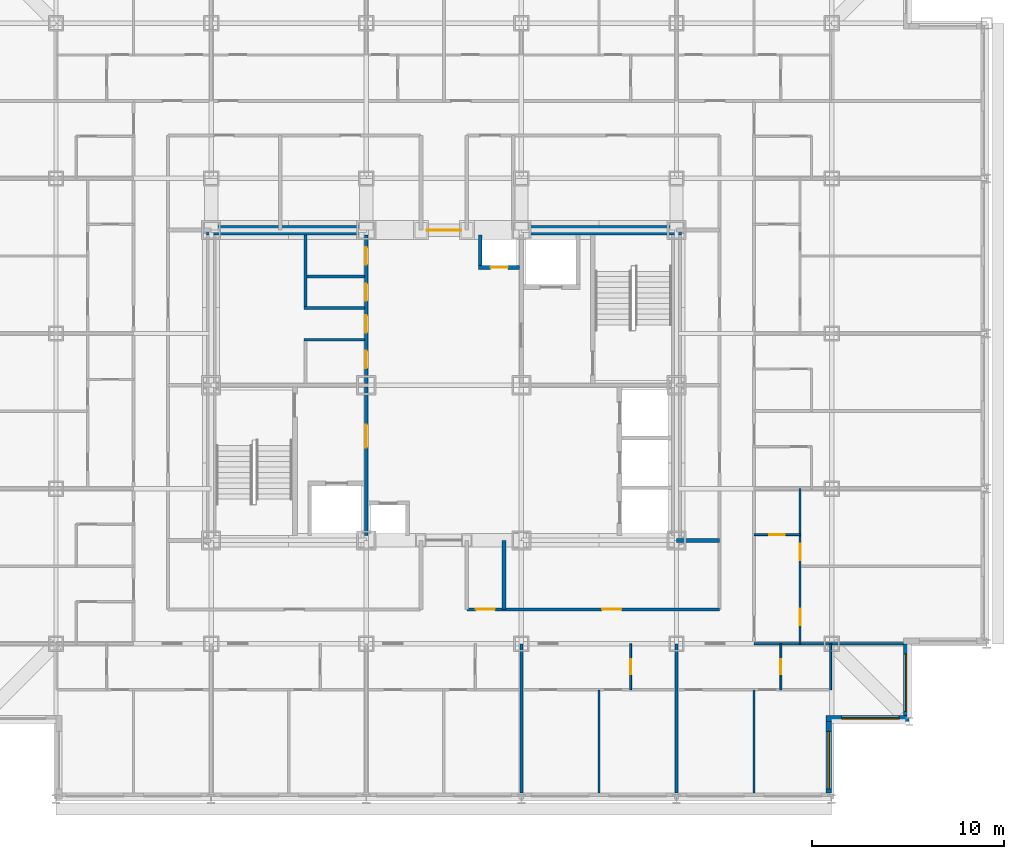
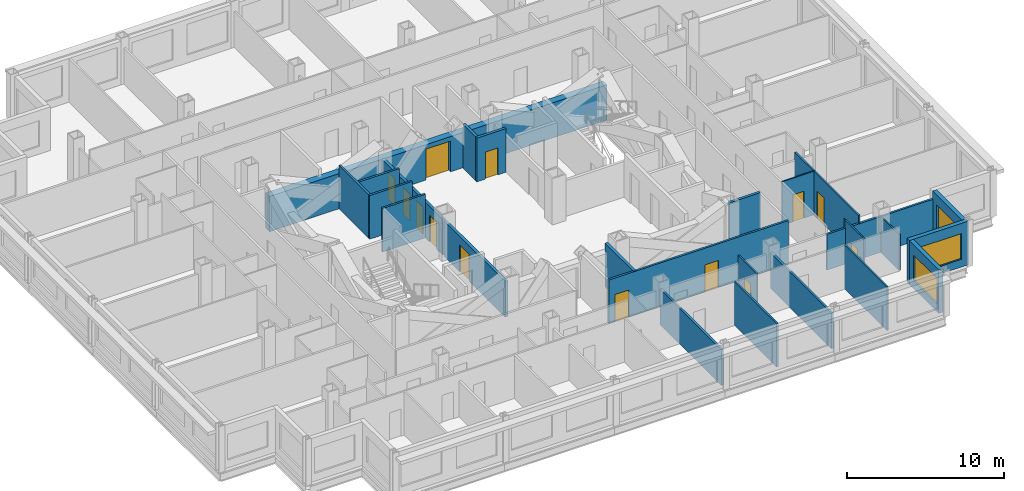
# One storey, part 7 of 12: 25 walls, 14 doors, 3 windows, 17 openings.
"""IFC4 building model written with IfcOpenShell, lengths in metres."""

from ifc_helpers import new_model, si_unit, direction, frame, frame_2d, origin, place, context, subcontext, project, spatial, rectangle, extrude, material, layer, layer_set, type_object, element, fill, save


model = new_model("IFC4")

# Units and contexts
model_context = context("Model", 3, precision=1e-05, world=origin(), true_north=direction((0.0, 1.0)))
body_context = subcontext(model_context, "Body", "Model", "MODEL_VIEW")
ifc_project = project(units=[si_unit("LENGTHUNIT", "METRE"), si_unit("AREAUNIT", "SQUARE_METRE"), si_unit("VOLUMEUNIT", "CUBIC_METRE"), si_unit("PLANEANGLEUNIT", "RADIAN"), si_unit("MASSUNIT", "GRAM", prefix="KILO")], contexts=[model_context])

# Site, building, storey
site_placement = place(None, origin())
site = spatial("IfcSite", under=ifc_project, at=site_placement, CompositionType="ELEMENT")
building_placement = place(site_placement, origin())
building = spatial("IfcBuilding", under=site, at=building_placement, Name="Kopane Lantern Tower", CompositionType="ELEMENT")
storey_placement = place(building_placement, frame((0.0, 0.0, 188.39990234375)))
storey = spatial("IfcBuildingStorey", under=building, at=storey_placement, Name="L48", CompositionType="ELEMENT", Elevation=188.39990234375)

# Wall
ifc_material_1 = material(Name="Gypsum board on steel studs", Category="steel")
ifc_layer_1 = layer(ifc_material_1, 0.1201171875)
ifc_layer_set_1 = layer_set([ifc_layer_1], Name="APARTMENT INTERNAL WALL 120")
wall_type_1 = type_object("IfcWallType", Name="APARTMENT INTERNAL WALL 120", PredefinedType="PARTITIONING", material=ifc_layer_set_1)
wall_1_placement = place(storey_placement, frame((36.449951171875, 16.5, 0.0), z_axis=(0.0, 0.0, 1.0), x_axis=(0.0, -1.0, 0.0)))
element("IfcWall", 1, at=wall_1_placement, inside=storey, type_object=wall_type_1, Name="Apartment Internal Wall 120 L48", PredefinedType="PARTITIONING", context=body_context, shape_type="SweptSolid", body=[
    extrude(rectangle(XDim=5.39990234375, YDim=0.1201171875, at=frame_2d((2.699951171875, 0.0))), origin(), (0.0, 0.0, 1.0), 3.39013671875),
])

# Wall, openings, doors
wall_2_placement = place(storey_placement, frame((46.949951171875, 18.89990234375, 0.0), z_axis=(0.0, 0.0, 1.0), x_axis=(0.0, 1.0, 0.0)))
wall_2 = element("IfcWall", 2, at=wall_2_placement, inside=storey, type_object=wall_type_1, Name="Apartment Internal Wall 120 L48", PredefinedType="PARTITIONING", context=body_context, shape_type="SweptSolid", body=[
    extrude(rectangle(XDim=8.10009765625, YDim=0.1201171875, at=frame_2d((4.050048828125, 0.0))), origin(), (0.0, 0.0, 1.0), 3.39013671875),
])
opening_1_placement = place(wall_2_placement, frame((0.97509765625, 0.0, 0.0)))
opening_1 = element("IfcOpeningElement", 3, at=opening_1_placement, cuts=wall_2, Name="Opening L48-048", PredefinedType="OPENING", context=body_context, shape_type="SweptSolid", body=[
    extrude(rectangle(XDim=0.85009765625, YDim=2.10009765625, at=frame_2d((0.425048828125, 1.050048828125))), frame((0.0, 0.070068359375, 0.0), z_axis=(0.0, -1.0, 0.0), x_axis=(1.0, 0.0, 0.0)), (0.0, 0.0, 1.0), 0.14013671875),
])
opening_2_placement = place(wall_2_placement, frame((4.375, 0.0, 0.0)))
opening_2 = element("IfcOpeningElement", 4, at=opening_2_placement, cuts=wall_2, Name="Opening L48-049", PredefinedType="OPENING", context=body_context, shape_type="SweptSolid", body=[
    extrude(rectangle(XDim=0.85009765625, YDim=2.10009765625, at=frame_2d((0.425048828125, 1.050048828125))), frame((0.0, 0.070068359375, 0.0), z_axis=(0.0, -1.0, 0.0), x_axis=(1.0, 0.0, 0.0)), (0.0, 0.0, 1.0), 0.14013671875),
])
ifc_material_2 = material(Name="Timber door set", Category="wood")
door_type_1 = type_object("IfcDoorType", Name="DOOR D4 850x2100", OperationType="SINGLE_SWING_LEFT", PredefinedType="DOOR", material=ifc_material_2)
door_1_placement = place(opening_1_placement, origin())
door_1 = element("IfcDoor", 5, at=door_1_placement, inside=storey, type_object=door_type_1, Name="Door L48-048", OperationType="SINGLE_SWING_LEFT", OverallHeight=2.10009765625, OverallWidth=0.85009765625, PredefinedType="DOOR", context=body_context, shape_type="SweptSolid", body=[
    extrude(rectangle(XDim=0.85009765625, YDim=2.10009765625, at=frame_2d((0.425048828125, 1.050048828125))), frame((0.0, 0.02490234375, 0.0), z_axis=(0.0, -1.0, 0.0), x_axis=(1.0, 0.0, 0.0)), (0.0, 0.0, 1.0), 0.050048828125),
])
fill(opening_1, door_1)
door_2_placement = place(opening_2_placement, origin())
door_2 = element("IfcDoor", 6, at=door_2_placement, inside=storey, type_object=door_type_1, Name="Door L48-049", OperationType="SINGLE_SWING_RIGHT", OverallHeight=2.10009765625, OverallWidth=0.85009765625, PredefinedType="DOOR", context=body_context, shape_type="SweptSolid", body=[
    extrude(rectangle(XDim=0.85009765625, YDim=2.10009765625, at=frame_2d((0.425048828125, 1.050048828125))), frame((0.0, 0.02490234375, 0.0), z_axis=(0.0, -1.0, 0.0), x_axis=(1.0, 0.0, 0.0)), (0.0, 0.0, 1.0), 0.050048828125),
])
fill(opening_2, door_2)

# Wall
wall_3_placement = place(storey_placement, frame((44.550048828125, 16.5, 0.0), z_axis=(0.0, 0.0, 1.0), x_axis=(0.0, -1.0, 0.0)))
element("IfcWall", 7, at=wall_3_placement, inside=storey, type_object=wall_type_1, Name="Apartment Internal Wall 120 L48", PredefinedType="PARTITIONING", context=body_context, shape_type="SweptSolid", body=[
    extrude(rectangle(XDim=5.39990234375, YDim=0.1201171875, at=frame_2d((2.699951171875, 0.0))), origin(), (0.0, 0.0, 1.0), 3.39013671875),
])

# Wall, opening, door
ifc_material_3 = material(Name="Moisture-resistant board on steel studs", Category="steel")
ifc_layer_2 = layer(ifc_material_3, 0.10009765625)
ifc_layer_set_2 = layer_set([ifc_layer_2], Name="BATHROOM WALL 100")
wall_type_2 = type_object("IfcWallType", Name="BATHROOM WALL 100", PredefinedType="PARTITIONING", material=ifc_layer_set_2)
wall_4_placement = place(storey_placement, frame((38.10009765625, 18.89990234375, 0.0), z_axis=(0.0, 0.0, 1.0), x_axis=(0.0, -1.0, 0.0)))
wall_4 = element("IfcWall", 8, at=wall_4_placement, inside=storey, type_object=wall_type_2, Name="Bathroom Wall 100 L48", PredefinedType="PARTITIONING", context=body_context, shape_type="SweptSolid", body=[
    extrude(rectangle(XDim=2.39990234375, YDim=0.10009765625, at=frame_2d((1.199951171875, 0.0))), origin(), (0.0, 0.0, 1.0), 3.39013671875),
])
opening_3_placement = place(wall_4_placement, frame((0.800048828125, 0.0, 0.0)))
opening_3 = element("IfcOpeningElement", 9, at=opening_3_placement, cuts=wall_4, Name="Opening L48-020", PredefinedType="OPENING", context=body_context, shape_type="SweptSolid", body=[
    extrude(rectangle(XDim=0.800048828125, YDim=2.10009765625, at=frame_2d((0.39990234375, 1.050048828125))), frame((0.0, 0.06005859375, 0.0), z_axis=(0.0, -1.0, 0.0), x_axis=(1.0, 0.0, 0.0)), (0.0, 0.0, 1.0), 0.1201171875),
])
ifc_material_4 = material(Name="Timber door set", Category="wood")
door_type_2 = type_object("IfcDoorType", Name="DOOR D2 800x2100", OperationType="SINGLE_SWING_LEFT", PredefinedType="DOOR", material=ifc_material_4)
door_3_placement = place(opening_3_placement, origin())
door_3 = element("IfcDoor", 10, at=door_3_placement, inside=storey, type_object=door_type_2, Name="Door L48-020", OperationType="SINGLE_SWING_LEFT", OverallHeight=2.10009765625, OverallWidth=0.800048828125, PredefinedType="DOOR", context=body_context, shape_type="SweptSolid", body=[
    extrude(rectangle(XDim=0.800048828125, YDim=2.10009765625, at=frame_2d((0.39990234375, 1.050048828125))), frame((0.0, 0.02490234375, 0.0), z_axis=(0.0, -1.0, 0.0), x_axis=(1.0, 0.0, 0.0)), (0.0, 0.0, 1.0), 0.050048828125),
])
fill(opening_3, door_3)

wall_5_placement = place(storey_placement, frame((44.550048828125, 24.60009765625, 0.0), z_axis=(0.0, 0.0, 1.0), x_axis=(1.0, 0.0, 0.0)))
wall_5 = element("IfcWall", 11, at=wall_5_placement, inside=storey, type_object=wall_type_2, Name="Bathroom Wall 100 L48", PredefinedType="PARTITIONING", context=body_context, shape_type="SweptSolid", body=[
    extrude(rectangle(XDim=2.39990234375, YDim=0.10009765625, at=frame_2d((1.199951171875, 0.0))), origin(), (0.0, 0.0, 1.0), 3.39013671875),
])
opening_4_placement = place(wall_5_placement, frame((0.800048828125, 0.0, 0.0)))
opening_4 = element("IfcOpeningElement", 12, at=opening_4_placement, cuts=wall_5, Name="Opening L48-046", PredefinedType="OPENING", context=body_context, shape_type="SweptSolid", body=[
    extrude(rectangle(XDim=0.800048828125, YDim=2.10009765625, at=frame_2d((0.39990234375, 1.050048828125))), frame((0.0, 0.06005859375, 0.0), z_axis=(0.0, -1.0, 0.0), x_axis=(1.0, 0.0, 0.0)), (0.0, 0.0, 1.0), 0.1201171875),
])
door_4_placement = place(opening_4_placement, origin())
door_4 = element("IfcDoor", 13, at=door_4_placement, inside=storey, type_object=door_type_2, Name="Door L48-046", OperationType="SINGLE_SWING_LEFT", OverallHeight=2.10009765625, OverallWidth=0.800048828125, PredefinedType="DOOR", context=body_context, shape_type="SweptSolid", body=[
    extrude(rectangle(XDim=0.800048828125, YDim=2.10009765625, at=frame_2d((0.39990234375, 1.050048828125))), frame((0.0, 0.02490234375, 0.0), z_axis=(0.0, -1.0, 0.0), x_axis=(1.0, 0.0, 0.0)), (0.0, 0.0, 1.0), 0.050048828125),
])
fill(opening_4, door_4)

wall_6_placement = place(storey_placement, frame((45.949951171875, 18.89990234375, 0.0), z_axis=(0.0, 0.0, 1.0), x_axis=(0.0, -1.0, 0.0)))
wall_6 = element("IfcWall", 14, at=wall_6_placement, inside=storey, type_object=wall_type_2, Name="Bathroom Wall 100 L48", PredefinedType="PARTITIONING", context=body_context, shape_type="SweptSolid", body=[
    extrude(rectangle(XDim=2.39990234375, YDim=0.10009765625, at=frame_2d((1.199951171875, 0.0))), origin(), (0.0, 0.0, 1.0), 3.39013671875),
])
opening_5_placement = place(wall_6_placement, frame((0.800048828125, 0.0, 0.0)))
opening_5 = element("IfcOpeningElement", 15, at=opening_5_placement, cuts=wall_6, Name="Opening L48-066", PredefinedType="OPENING", context=body_context, shape_type="SweptSolid", body=[
    extrude(rectangle(XDim=0.800048828125, YDim=2.10009765625, at=frame_2d((0.39990234375, 1.050048828125))), frame((0.0, 0.06005859375, 0.0), z_axis=(0.0, -1.0, 0.0), x_axis=(1.0, 0.0, 0.0)), (0.0, 0.0, 1.0), 0.1201171875),
])
door_5_placement = place(opening_5_placement, origin())
door_5 = element("IfcDoor", 16, at=door_5_placement, inside=storey, type_object=door_type_2, Name="Door L48-066", OperationType="SINGLE_SWING_LEFT", OverallHeight=2.10009765625, OverallWidth=0.800048828125, PredefinedType="DOOR", context=body_context, shape_type="SweptSolid", body=[
    extrude(rectangle(XDim=0.800048828125, YDim=2.10009765625, at=frame_2d((0.39990234375, 1.050048828125))), frame((0.0, 0.02490234375, 0.0), z_axis=(0.0, -1.0, 0.0), x_axis=(1.0, 0.0, 0.0)), (0.0, 0.0, 1.0), 0.050048828125),
])
fill(opening_5, door_5)

# Wall
wall_7_placement = place(storey_placement, frame((48.550048828125, 18.89990234375, 0.0), z_axis=(0.0, 0.0, 1.0), x_axis=(0.0, -1.0, 0.0)))
element("IfcWall", 17, at=wall_7_placement, inside=storey, type_object=wall_type_2, Name="Bathroom Wall 100 L48", PredefinedType="PARTITIONING", context=body_context, shape_type="SweptSolid", body=[
    extrude(rectangle(XDim=2.39990234375, YDim=0.10009765625, at=frame_2d((1.199951171875, 0.0))), origin(), (0.0, 0.0, 1.0), 2.77783203125),
])

# Wall, opening, door
ifc_material_5 = material(Name="Gypsum shaft wall EI 120", Category="gypsum")
ifc_layer_3 = layer(ifc_material_5, 0.5)
ifc_layer_set_3 = layer_set([ifc_layer_3], Name="CORE PERIMETER WALL 500 EI 120")
wall_type_3 = type_object("IfcWallType", Name="CORE PERIMETER WALL 500 EI 120", PredefinedType="SOLIDWALL", material=ifc_layer_set_3)
wall_8_placement = place(storey_placement, frame((15.949951171875, 40.5, 0.0), z_axis=(0.0, 0.0, 1.0), x_axis=(1.0, 0.0, 0.0)))
wall_8 = element("IfcWall", 18, at=wall_8_placement, inside=storey, type_object=wall_type_3, Name="Core shaft wall L48 PN", PredefinedType="SOLIDWALL", context=body_context, shape_type="SweptSolid", body=[
    extrude(rectangle(XDim=24.800048828125, YDim=0.5, at=frame_2d((12.39990234375, 0.0))), origin(), (0.0, 0.0, 1.0), 2.739990234375),
])
opening_6_placement = place(wall_8_placement, frame((11.5, 0.0, 0.0)))
opening_6 = element("IfcOpeningElement", 19, at=opening_6_placement, cuts=wall_8, Name="Opening 48.CE-N", PredefinedType="OPENING", context=body_context, shape_type="SweptSolid", body=[
    extrude(rectangle(XDim=1.800048828125, YDim=2.39990234375, at=frame_2d((0.89990234375, 1.199951171875))), frame((0.0, 0.260009765625, 0.0), z_axis=(0.0, -1.0, 0.0), x_axis=(1.0, 0.0, 0.0)), (0.0, 0.0, 1.0), 0.52001953125),
])
ifc_material_6 = material(Name="Steel door set", Category="steel")
door_type_3 = type_object("IfcDoorType", Name="CORE ENTRY DOOR 1800x2400 FD60S", OperationType="DOUBLE_DOOR_SINGLE_SWING", PredefinedType="DOOR", material=ifc_material_6)
door_6_placement = place(opening_6_placement, origin())
door_6 = element("IfcDoor", 20, at=door_6_placement, inside=storey, type_object=door_type_3, Name="Core entry door L48 north", OperationType="DOUBLE_DOOR_SINGLE_SWING", OverallHeight=2.39990234375, OverallWidth=1.800048828125, PredefinedType="DOOR", context=body_context, shape_type="SweptSolid", body=[
    extrude(rectangle(XDim=1.800048828125, YDim=2.39990234375, at=frame_2d((0.89990234375, 1.199951171875))), frame((0.0, 0.02490234375, 0.0), z_axis=(0.0, -1.0, 0.0), x_axis=(1.0, 0.0, 0.0)), (0.0, 0.0, 1.0), 0.050048828125),
])
fill(opening_6, door_6)

# Walls
ifc_material_7 = material(Name="Gypsum partition EI 60", Category="gypsum")
ifc_layer_4 = layer(ifc_material_7, 0.14990234375)
ifc_layer_set_4 = layer_set([ifc_layer_4], Name="CORE ROOM PARTITION 150 EI 60")
wall_type_4 = type_object("IfcWallType", Name="CORE ROOM PARTITION 150 EI 60", PredefinedType="PARTITIONING", material=ifc_layer_set_4)
for number, where, z_axis, x_axis, name in (
    (21, (21.050048828125, 34.77490234375, 0.0), (0.0, 0.0, 1.0), (1.0, 0.0, 0.0), "Core room partition L48 WW1"),
    (22, (21.050048828125, 36.425048828125, 0.0), (0.0, 0.0, 1.0), (1.0, 0.0, 0.0), "Core room partition L48 WW2"),
):
    element("IfcWall", number, at=place(storey_placement, frame(where, z_axis=z_axis, x_axis=x_axis)), inside=storey, type_object=wall_type_4, Name=name, PredefinedType="PARTITIONING", context=body_context, shape_type="SweptSolid", body=[
        extrude(rectangle(XDim=3.14990234375, YDim=0.14990234375, at=frame_2d((1.574951171875, 0.0))), origin(), (0.0, 0.0, 1.0), 3.39013671875),
    ])
wall_9_placement = place(storey_placement, frame((21.199951171875, 38.074951171875, 0.0), z_axis=(0.0, 0.0, 1.0), x_axis=(1.0, 0.0, 0.0)))
element("IfcWall", 23, at=wall_9_placement, inside=storey, type_object=wall_type_4, Name="Core room partition L48 WW3", PredefinedType="PARTITIONING", context=body_context, shape_type="SweptSolid", body=[
    extrude(rectangle(XDim=3.0, YDim=0.14990234375, at=frame_2d((1.5, 0.0))), origin(), (0.0, 0.0, 1.0), 3.39013671875),
])
wall_10_placement = place(storey_placement, frame((21.125, 36.5, 0.0), z_axis=(0.0, 0.0, 1.0), x_axis=(0.0, 1.0, 0.0)))
element("IfcWall", 24, at=wall_10_placement, inside=storey, type_object=wall_type_4, Name="Core room partition L48 WWB1", PredefinedType="PARTITIONING", context=body_context, shape_type="SweptSolid", body=[
    extrude(rectangle(XDim=3.75, YDim=0.14990234375, at=frame_2d((1.875, 0.0))), origin(), (0.0, 0.0, 1.0), 3.39013671875),
])

# Wall, openings, doors
ifc_material_8 = material(Name="Gypsum partition EI 60", Category="gypsum")
ifc_layer_5 = layer(ifc_material_8, 0.199951171875)
ifc_layer_set_5 = layer_set([ifc_layer_5], Name="CORE ROOM WALL 200 EI 60")
wall_type_5 = type_object("IfcWallType", Name="CORE ROOM WALL 200 EI 60", PredefinedType="PARTITIONING", material=ifc_layer_set_5)
wall_11_placement = place(storey_placement, frame((24.300048828125, 32.5, 0.0), z_axis=(0.0, 0.0, 1.0), x_axis=(0.0, 1.0, 0.0)))
wall_11 = element("IfcWall", 25, at=wall_11_placement, inside=storey, type_object=wall_type_5, Name="Core room wall L48 XW", PredefinedType="PARTITIONING", context=body_context, shape_type="SweptSolid", body=[
    extrude(rectangle(XDim=7.75, YDim=0.199951171875, at=frame_2d((3.875, 0.0))), origin(), (0.0, 0.0, 1.0), 2.77783203125),
])
opening_7_placement = place(wall_11_placement, frame((0.800048828125, 0.0, 0.0)))
opening_7 = element("IfcOpeningElement", 26, at=opening_7_placement, cuts=wall_11, Name="Opening 48.C30", PredefinedType="OPENING", context=body_context, shape_type="SweptSolid", body=[
    extrude(rectangle(XDim=0.89990234375, YDim=2.10009765625, at=frame_2d((0.449951171875, 1.050048828125))), frame((0.0, 0.10986328125, 0.0), z_axis=(0.0, -1.0, 0.0), x_axis=(1.0, 0.0, 0.0)), (0.0, 0.0, 1.0), 0.219970703125),
])
opening_8_placement = place(wall_11_placement, frame((2.64990234375, 0.0, 0.0)))
opening_8 = element("IfcOpeningElement", 27, at=opening_8_placement, cuts=wall_11, Name="Opening 48.C31", PredefinedType="OPENING", context=body_context, shape_type="SweptSolid", body=[
    extrude(rectangle(XDim=0.89990234375, YDim=2.10009765625, at=frame_2d((0.449951171875, 1.050048828125))), frame((0.0, 0.10986328125, 0.0), z_axis=(0.0, -1.0, 0.0), x_axis=(1.0, 0.0, 0.0)), (0.0, 0.0, 1.0), 0.219970703125),
])
opening_9_placement = place(wall_11_placement, frame((4.300048828125, 0.0, 0.0)))
opening_9 = element("IfcOpeningElement", 28, at=opening_9_placement, cuts=wall_11, Name="Opening 48.C32", PredefinedType="OPENING", context=body_context, shape_type="SweptSolid", body=[
    extrude(rectangle(XDim=0.89990234375, YDim=2.10009765625, at=frame_2d((0.449951171875, 1.050048828125))), frame((0.0, 0.10986328125, 0.0), z_axis=(0.0, -1.0, 0.0), x_axis=(1.0, 0.0, 0.0)), (0.0, 0.0, 1.0), 0.219970703125),
])
opening_10_placement = place(wall_11_placement, frame((6.199951171875, 0.0, 0.0)))
opening_10 = element("IfcOpeningElement", 29, at=opening_10_placement, cuts=wall_11, Name="Opening 48.C33", PredefinedType="OPENING", context=body_context, shape_type="SweptSolid", body=[
    extrude(rectangle(XDim=0.89990234375, YDim=2.10009765625, at=frame_2d((0.449951171875, 1.050048828125))), frame((0.0, 0.10986328125, 0.0), z_axis=(0.0, -1.0, 0.0), x_axis=(1.0, 0.0, 0.0)), (0.0, 0.0, 1.0), 0.219970703125),
])
ifc_material_9 = material(Name="Steel door set", Category="steel")
door_type_4 = type_object("IfcDoorType", Name="CORE ROOM DOOR 900x2100 FD60", OperationType="SINGLE_SWING_LEFT", PredefinedType="DOOR", material=ifc_material_9)
door_7_placement = place(opening_7_placement, origin())
door_7 = element("IfcDoor", 30, at=door_7_placement, inside=storey, type_object=door_type_4, Name="Door Refuse room L48", OperationType="SINGLE_SWING_RIGHT", OverallHeight=2.10009765625, OverallWidth=0.89990234375, PredefinedType="DOOR", context=body_context, shape_type="SweptSolid", body=[
    extrude(rectangle(XDim=0.89990234375, YDim=2.10009765625, at=frame_2d((0.449951171875, 1.050048828125))), frame((0.0, 0.02490234375, 0.0), z_axis=(0.0, -1.0, 0.0), x_axis=(1.0, 0.0, 0.0)), (0.0, 0.0, 1.0), 0.050048828125),
])
fill(opening_7, door_7)
door_8_placement = place(opening_8_placement, origin())
door_8 = element("IfcDoor", 31, at=door_8_placement, inside=storey, type_object=door_type_4, Name="Door Residents storage L48", OperationType="SINGLE_SWING_RIGHT", OverallHeight=2.10009765625, OverallWidth=0.89990234375, PredefinedType="DOOR", context=body_context, shape_type="SweptSolid", body=[
    extrude(rectangle(XDim=0.89990234375, YDim=2.10009765625, at=frame_2d((0.449951171875, 1.050048828125))), frame((0.0, 0.02490234375, 0.0), z_axis=(0.0, -1.0, 0.0), x_axis=(1.0, 0.0, 0.0)), (0.0, 0.0, 1.0), 0.050048828125),
])
fill(opening_8, door_8)
door_9_placement = place(opening_9_placement, origin())
door_9 = element("IfcDoor", 32, at=door_9_placement, inside=storey, type_object=door_type_4, Name="Door Cleaner store L48", OperationType="SINGLE_SWING_LEFT", OverallHeight=2.10009765625, OverallWidth=0.89990234375, PredefinedType="DOOR", context=body_context, shape_type="SweptSolid", body=[
    extrude(rectangle(XDim=0.89990234375, YDim=2.10009765625, at=frame_2d((0.449951171875, 1.050048828125))), frame((0.0, 0.02490234375, 0.0), z_axis=(0.0, -1.0, 0.0), x_axis=(1.0, 0.0, 0.0)), (0.0, 0.0, 1.0), 0.050048828125),
])
fill(opening_9, door_9)
door_10_placement = place(opening_10_placement, origin())
door_10 = element("IfcDoor", 33, at=door_10_placement, inside=storey, type_object=door_type_4, Name="Door IT room L48", OperationType="SINGLE_SWING_LEFT", OverallHeight=2.10009765625, OverallWidth=0.89990234375, PredefinedType="DOOR", context=body_context, shape_type="SweptSolid", body=[
    extrude(rectangle(XDim=0.89990234375, YDim=2.10009765625, at=frame_2d((0.449951171875, 1.050048828125))), frame((0.0, 0.02490234375, 0.0), z_axis=(0.0, -1.0, 0.0), x_axis=(1.0, 0.0, 0.0)), (0.0, 0.0, 1.0), 0.050048828125),
])
fill(opening_10, door_10)

ifc_material_10 = material(Name="Gypsum board on steel studs", Category="steel")
ifc_layer_6 = layer(ifc_material_10, 0.14990234375)
ifc_layer_set_6 = layer_set([ifc_layer_6], Name="CORRIDOR WALL 150 EI 60")
wall_type_6 = type_object("IfcWallType", Name="CORRIDOR WALL 150 EI 60", PredefinedType="PARTITIONING", material=ifc_layer_set_6)
wall_12_placement = place(storey_placement, frame((29.56005859375, 20.699951171875, 0.0), z_axis=(0.0, 0.0, 1.0), x_axis=(1.0, 0.0, 0.0)))
wall_12 = element("IfcWall", 34, at=wall_12_placement, inside=storey, type_object=wall_type_6, Name="Corridor Wall 150 Ei 60 L48", PredefinedType="PARTITIONING", context=body_context, shape_type="SweptSolid", body=[
    extrude(rectangle(XDim=13.18994140625, YDim=0.14990234375, at=frame_2d((6.594970703125, 0.0))), origin(), (0.0, 0.0, 1.0), 3.39013671875),
])
opening_11_placement = place(wall_12_placement, frame((0.462158203125, 0.0, 0.0)))
opening_11 = element("IfcOpeningElement", 35, at=opening_11_placement, cuts=wall_12, Name="Opening L48-006", PredefinedType="OPENING", context=body_context, shape_type="SweptSolid", body=[
    extrude(rectangle(XDim=1.0, YDim=2.10009765625, at=frame_2d((0.5, 1.050048828125))), frame((0.0, 0.0849609375, 0.0), z_axis=(0.0, -1.0, 0.0), x_axis=(1.0, 0.0, 0.0)), (0.0, 0.0, 1.0), 0.169921875),
])
opening_12_placement = place(wall_12_placement, frame((7.062255859375, 0.0, 0.0)))
opening_12 = element("IfcOpeningElement", 36, at=opening_12_placement, cuts=wall_12, Name="Opening L48-007", PredefinedType="OPENING", context=body_context, shape_type="SweptSolid", body=[
    extrude(rectangle(XDim=1.0, YDim=2.10009765625, at=frame_2d((0.5, 1.050048828125))), frame((0.0, 0.0849609375, 0.0), z_axis=(0.0, -1.0, 0.0), x_axis=(1.0, 0.0, 0.0)), (0.0, 0.0, 1.0), 0.169921875),
])
ifc_material_11 = material(Name="Steel door set", Category="steel")
door_type_5 = type_object("IfcDoorType", Name="DOOR D5 1000x2100 FD60", OperationType="SINGLE_SWING_LEFT", PredefinedType="DOOR", material=ifc_material_11)
door_11_placement = place(opening_11_placement, origin())
door_11 = element("IfcDoor", 37, at=door_11_placement, inside=storey, type_object=door_type_5, Name="Door L48-006", OperationType="SINGLE_SWING_LEFT", OverallHeight=2.10009765625, OverallWidth=1.0, PredefinedType="DOOR", context=body_context, shape_type="SweptSolid", body=[
    extrude(rectangle(XDim=1.0, YDim=2.10009765625, at=frame_2d((0.5, 1.050048828125))), frame((0.0, 0.02490234375, 0.0), z_axis=(0.0, -1.0, 0.0), x_axis=(1.0, 0.0, 0.0)), (0.0, 0.0, 1.0), 0.050048828125),
])
fill(opening_11, door_11)
door_12_placement = place(opening_12_placement, origin())
door_12 = element("IfcDoor", 38, at=door_12_placement, inside=storey, type_object=door_type_5, Name="Door L48-007", OperationType="SINGLE_SWING_RIGHT", OverallHeight=2.10009765625, OverallWidth=1.0, PredefinedType="DOOR", context=body_context, shape_type="SweptSolid", body=[
    extrude(rectangle(XDim=1.0, YDim=2.10009765625, at=frame_2d((0.5, 1.050048828125))), frame((0.0, 0.02490234375, 0.0), z_axis=(0.0, -1.0, 0.0), x_axis=(1.0, 0.0, 0.0)), (0.0, 0.0, 1.0), 0.050048828125),
])
fill(opening_12, door_12)

# Walls
ifc_material_12 = material(Name="Gypsum board on steel studs", Category="steel")
ifc_layer_7 = layer(ifc_material_12, 0.14990234375)
ifc_layer_set_7 = layer_set([ifc_layer_7], Name="DEMISING WALL 150 EI 60")
wall_type_7 = type_object("IfcWallType", Name="DEMISING WALL 150 EI 60", PredefinedType="PARTITIONING", material=ifc_layer_set_7)
wall_13_placement = place(storey_placement, frame((32.39990234375, 18.89990234375, 0.0), z_axis=(0.0, 0.0, 1.0), x_axis=(0.0, -1.0, 0.0)))
element("IfcWall", 39, at=wall_13_placement, inside=storey, type_object=wall_type_7, Name="Demising Wall 150 Ei 60 L48", PredefinedType="PARTITIONING", context=body_context, shape_type="SweptSolid", body=[
    extrude(rectangle(XDim=7.7998046875, YDim=0.14990234375, at=frame_2d((3.89990234375, 0.0))), origin(), (0.0, 0.0, 1.0), 2.77783203125),
])
wall_14_placement = place(storey_placement, frame((44.550048828125, 18.89990234375, 0.0), z_axis=(0.0, 0.0, 1.0), x_axis=(1.0, 0.0, 0.0)))
element("IfcWall", 40, at=wall_14_placement, inside=storey, type_object=wall_type_7, Name="Demising Wall 150 Ei 60 L48", PredefinedType="PARTITIONING", context=body_context, shape_type="SweptSolid", body=[
    extrude(rectangle(XDim=7.800048828125, YDim=0.14990234375, at=frame_2d((3.89990234375, 0.0))), origin(), (0.0, 0.0, 1.0), 2.77783203125),
])
wall_15_placement = place(storey_placement, frame((40.5, 18.89990234375, 0.0), z_axis=(0.0, 0.0, 1.0), x_axis=(0.0, -1.0, 0.0)))
element("IfcWall", 41, at=wall_15_placement, inside=storey, type_object=wall_type_7, Name="Demising Wall 150 Ei 60 L48", PredefinedType="PARTITIONING", context=body_context, shape_type="SweptSolid", body=[
    extrude(rectangle(XDim=7.7998046875, YDim=0.14990234375, at=frame_2d((3.89990234375, 0.0))), origin(), (0.0, 0.0, 1.0), 2.77783203125),
])

# Wall, opening, window
ifc_material_13 = material(Name="Terracotta rainscreen on light steel framing", Category="masonry")
ifc_layer_8 = layer(ifc_material_13, 0.300048828125)
ifc_layer_set_8 = layer_set([ifc_layer_8], Name="EXTERNAL WALL EW1 300 TERRACOTTA")
wall_type_8 = type_object("IfcWallType", Name="EXTERNAL WALL EW1 300 TERRACOTTA", PredefinedType="SOLIDWALL", material=ifc_layer_set_8)
wall_16_placement = place(storey_placement, frame((48.449951171875, 11.10009765625, 0.0), z_axis=(0.0, 0.0, 1.0), x_axis=(0.0, 1.0, 0.0)))
wall_16 = element("IfcWall", 42, at=wall_16_placement, inside=storey, type_object=wall_type_8, Name="External wall E L48", PredefinedType="SOLIDWALL", context=body_context, shape_type="SweptSolid", body=[
    extrude(rectangle(XDim=3.75, YDim=0.300048828125, at=frame_2d((1.875, 0.0))), origin(), (0.0, 0.0, 1.0), 3.39013671875),
])
opening_13_placement = place(wall_16_placement, frame((0.22509765625, 0.0, 0.60009765625)))
opening_13 = element("IfcOpeningElement", 43, at=opening_13_placement, cuts=wall_16, Name="Opening WR300200", PredefinedType="OPENING", context=body_context, shape_type="SweptSolid", body=[
    extrude(rectangle(XDim=3.0, YDim=2.0, at=frame_2d((1.5, 1.0))), frame((0.0, 0.159912109375, 0.0), z_axis=(0.0, -1.0, 0.0), x_axis=(1.0, 0.0, 0.0)), (0.0, 0.0, 1.0), 0.320068359375),
])
ifc_material_14 = material(Name="Aluminium and clear glass", Category="aluminium")
window_type = type_object("IfcWindowType", Name="RIBBON WINDOW WR300200 3000x2000", PartitioningType="SINGLE_PANEL", PredefinedType="WINDOW", material=ifc_material_14)
window_1_placement = place(opening_13_placement, origin())
window_1 = element("IfcWindow", 44, at=window_1_placement, inside=storey, type_object=window_type, Name="Window E L48", OverallHeight=2.0, OverallWidth=3.0, PartitioningType="SINGLE_PANEL", PredefinedType="WINDOW", context=body_context, shape_type="SweptSolid", body=[
    extrude(rectangle(XDim=3.0, YDim=2.0, at=frame_2d((1.5, 1.0))), frame((0.0, 0.030029296875, 0.0), z_axis=(0.0, -1.0, 0.0), x_axis=(1.0, 0.0, 0.0)), (0.0, 0.0, 1.0), 0.06005859375),
])
fill(opening_13, window_1)

wall_17_placement = place(storey_placement, frame((48.300048828125, 15.0, 0.0), z_axis=(0.0, 0.0, 1.0), x_axis=(1.0, 0.0, 0.0)))
wall_17 = element("IfcWall", 45, at=wall_17_placement, inside=storey, type_object=wall_type_8, Name="External wall S L48", PredefinedType="SOLIDWALL", context=body_context, shape_type="SweptSolid", body=[
    extrude(rectangle(XDim=4.349853515625, YDim=0.300048828125, at=frame_2d((2.1748046875, 0.0))), origin(), (0.0, 0.0, 1.0), 3.39013671875),
])
opening_14_placement = place(wall_17_placement, frame((0.824951171875, 0.0, 0.60009765625)))
opening_14 = element("IfcOpeningElement", 46, at=opening_14_placement, cuts=wall_17, Name="Opening WR300200", PredefinedType="OPENING", context=body_context, shape_type="SweptSolid", body=[
    extrude(rectangle(XDim=3.0, YDim=2.0, at=frame_2d((1.5, 1.0))), frame((0.0, 0.159912109375, 0.0), z_axis=(0.0, -1.0, 0.0), x_axis=(1.0, 0.0, 0.0)), (0.0, 0.0, 1.0), 0.320068359375),
])
window_2_placement = place(opening_14_placement, origin())
window_2 = element("IfcWindow", 47, at=window_2_placement, inside=storey, type_object=window_type, Name="Window S L48", OverallHeight=2.0, OverallWidth=3.0, PartitioningType="SINGLE_PANEL", PredefinedType="WINDOW", context=body_context, shape_type="SweptSolid", body=[
    extrude(rectangle(XDim=3.0, YDim=2.0, at=frame_2d((1.5, 1.0))), frame((0.0, 0.030029296875, 0.0), z_axis=(0.0, -1.0, 0.0), x_axis=(1.0, 0.0, 0.0)), (0.0, 0.0, 1.0), 0.06005859375),
])
fill(opening_14, window_2)

wall_18_placement = place(storey_placement, frame((52.5, 15.14990234375, 0.0), z_axis=(0.0, 0.0, 1.0), x_axis=(0.0, 1.0, 0.0)))
wall_18 = element("IfcWall", 48, at=wall_18_placement, inside=storey, type_object=wall_type_8, Name="External wall E L48", PredefinedType="SOLIDWALL", context=body_context, shape_type="SweptSolid", body=[
    extrude(rectangle(XDim=3.75, YDim=0.300048828125, at=frame_2d((1.875, 0.0))), origin(), (0.0, 0.0, 1.0), 3.39013671875),
])
opening_15_placement = place(wall_18_placement, frame((0.22509765625, 0.0, 0.60009765625)))
opening_15 = element("IfcOpeningElement", 49, at=opening_15_placement, cuts=wall_18, Name="Opening WR300200", PredefinedType="OPENING", context=body_context, shape_type="SweptSolid", body=[
    extrude(rectangle(XDim=3.0, YDim=2.0, at=frame_2d((1.5, 1.0))), frame((0.0, 0.159912109375, 0.0), z_axis=(0.0, -1.0, 0.0), x_axis=(1.0, 0.0, 0.0)), (0.0, 0.0, 1.0), 0.320068359375),
])
window_3_placement = place(opening_15_placement, origin())
window_3 = element("IfcWindow", 50, at=window_3_placement, inside=storey, type_object=window_type, Name="Window E L48", OverallHeight=2.0, OverallWidth=3.0, PartitioningType="SINGLE_PANEL", PredefinedType="WINDOW", context=body_context, shape_type="SweptSolid", body=[
    extrude(rectangle(XDim=3.0, YDim=2.0, at=frame_2d((1.5, 1.0))), frame((0.0, 0.030029296875, 0.0), z_axis=(0.0, -1.0, 0.0), x_axis=(1.0, 0.0, 0.0)), (0.0, 0.0, 1.0), 0.06005859375),
])
fill(opening_15, window_3)

# Walls
ifc_material_15 = material(Name="Concrete masonry", Category="masonry")
ifc_layer_9 = layer(ifc_material_15, 0.199951171875)
ifc_layer_set_9 = layer_set([ifc_layer_9], Name="PLANT ROOM WALL 200 EI 120")
wall_type_9 = type_object("IfcWallType", Name="PLANT ROOM WALL 200 EI 120", PredefinedType="SOLIDWALL", material=ifc_layer_set_9)
wall_19_placement = place(storey_placement, frame((31.494384765625, 20.699951171875, 0.0), z_axis=(0.0, 0.0, 1.0), x_axis=(0.0, 1.0, 0.0)))
element("IfcWall", 51, at=wall_19_placement, inside=storey, type_object=wall_type_9, Name="Plant Room Wall 200 Ei 120 L48", PredefinedType="SOLIDWALL", context=body_context, shape_type="SweptSolid", body=[
    extrude(rectangle(XDim=3.60009765625, YDim=0.199951171875, at=frame_2d((1.800048828125, 0.0))), origin(), (0.0, 0.0, 1.0), 3.39013671875),
])
wall_20_placement = place(storey_placement, frame((40.5, 24.300048828125, 0.0), z_axis=(0.0, 0.0, 1.0), x_axis=(1.0, 0.0, 0.0)))
element("IfcWall", 52, at=wall_20_placement, inside=storey, type_object=wall_type_9, Name="Plant Room Wall 200 Ei 120 L48", PredefinedType="SOLIDWALL", context=body_context, shape_type="SweptSolid", body=[
    extrude(rectangle(XDim=2.25, YDim=0.199951171875, at=frame_2d((1.125, 0.0))), origin(), (0.0, 0.0, 1.0), 3.39013671875),
])

# Wall, opening, door
ifc_material_16 = material(Name="Gypsum shaft wall EI 120", Category="gypsum")
ifc_layer_10 = layer(ifc_material_16, 0.199951171875)
ifc_layer_set_10 = layer_set([ifc_layer_10], Name="SHAFT WALL 200 EI 120")
wall_type_10 = type_object("IfcWallType", Name="SHAFT WALL 200 EI 120", PredefinedType="SOLIDWALL", material=ifc_layer_set_10)
wall_21_placement = place(storey_placement, frame((24.300048828125, 24.550048828125, 0.0), z_axis=(0.0, 0.0, 1.0), x_axis=(0.0, 1.0, 0.0)))
wall_21 = element("IfcWall", 53, at=wall_21_placement, inside=storey, type_object=wall_type_10, Name="Core shaft wall L48 X243", PredefinedType="SOLIDWALL", context=body_context, shape_type="SweptSolid", body=[
    extrude(rectangle(XDim=7.75, YDim=0.199951171875, at=frame_2d((3.875, 0.0))), origin(), (0.0, 0.0, 1.0), 2.77783203125),
])
opening_16_placement = place(wall_21_placement, frame((4.60009765625, 0.0, 0.0)))
opening_16 = element("IfcOpeningElement", 54, at=opening_16_placement, cuts=wall_21, Name="Opening 48.FL1", PredefinedType="OPENING", context=body_context, shape_type="SweptSolid", body=[
    extrude(rectangle(XDim=1.199951171875, YDim=2.10009765625, at=frame_2d((0.60009765625, 1.050048828125))), frame((0.0, 0.10986328125, 0.0), z_axis=(0.0, -1.0, 0.0), x_axis=(1.0, 0.0, 0.0)), (0.0, 0.0, 1.0), 0.219970703125),
])
ifc_material_17 = material(Name="Steel door set", Category="steel")
door_type_6 = type_object("IfcDoorType", Name="FIREFIGHTING LOBBY DOOR 1200x2100 FD60S", OperationType="SINGLE_SWING_RIGHT", PredefinedType="DOOR", material=ifc_material_17)
door_13_placement = place(opening_16_placement, origin())
door_13 = element("IfcDoor", 55, at=door_13_placement, inside=storey, type_object=door_type_6, Name="Firefighting lobby door FL1 L48", OperationType="SINGLE_SWING_LEFT", OverallHeight=2.10009765625, OverallWidth=1.199951171875, PredefinedType="DOOR", context=body_context, shape_type="SweptSolid", body=[
    extrude(rectangle(XDim=1.199951171875, YDim=2.10009765625, at=frame_2d((0.60009765625, 1.050048828125))), frame((0.0, 0.02490234375, 0.0), z_axis=(0.0, -1.0, 0.0), x_axis=(1.0, 0.0, 0.0)), (0.0, 0.0, 1.0), 0.050048828125),
])
fill(opening_16, door_13)

# Wall
wall_22_placement = place(storey_placement, frame((30.25, 38.64990234375, 0.0), z_axis=(0.0, 0.0, 1.0), x_axis=(0.0, 1.0, 0.0)))
element("IfcWall", 56, at=wall_22_placement, inside=storey, type_object=wall_type_10, Name="Core shaft wall L48 XRS2", PredefinedType="SOLIDWALL", context=body_context, shape_type="SweptSolid", body=[
    extrude(rectangle(XDim=1.60009765625, YDim=0.199951171875, at=frame_2d((0.800048828125, 0.0))), origin(), (0.0, 0.0, 1.0), 3.39013671875),
])

# Wall, opening, door
wall_23_placement = place(storey_placement, frame((30.14990234375, 38.550048828125, 0.0), z_axis=(0.0, 0.0, 1.0), x_axis=(1.0, 0.0, 0.0)))
wall_23 = element("IfcWall", 57, at=wall_23_placement, inside=storey, type_object=wall_type_10, Name="Core shaft wall L48 YRS2", PredefinedType="SOLIDWALL", context=body_context, shape_type="SweptSolid", body=[
    extrude(rectangle(XDim=2.150146484375, YDim=0.199951171875, at=frame_2d((1.0751953125, 0.0))), origin(), (0.0, 0.0, 1.0), 3.39013671875),
])
opening_17_placement = place(wall_23_placement, frame((0.64990234375, 0.0, 0.0)))
opening_17 = element("IfcOpeningElement", 58, at=opening_17_placement, cuts=wall_23, Name="Opening 48.RS2", PredefinedType="OPENING", context=body_context, shape_type="SweptSolid", body=[
    extrude(rectangle(XDim=0.89990234375, YDim=2.10009765625, at=frame_2d((0.449951171875, 1.050048828125))), frame((0.0, 0.10986328125, 0.0), z_axis=(0.0, -1.0, 0.0), x_axis=(1.0, 0.0, 0.0)), (0.0, 0.0, 1.0), 0.219970703125),
])
ifc_material_18 = material(Name="Steel door set", Category="steel")
door_type_7 = type_object("IfcDoorType", Name="RISER ACCESS DOOR 900x2100 FD60", OperationType="SINGLE_SWING_LEFT", PredefinedType="DOOR", material=ifc_material_18)
door_14_placement = place(opening_17_placement, origin())
door_14 = element("IfcDoor", 59, at=door_14_placement, inside=storey, type_object=door_type_7, Name="Riser access door RS2 L48", OperationType="SINGLE_SWING_LEFT", OverallHeight=2.10009765625, OverallWidth=0.89990234375, PredefinedType="DOOR", context=body_context, shape_type="SweptSolid", body=[
    extrude(rectangle(XDim=0.89990234375, YDim=2.10009765625, at=frame_2d((0.449951171875, 1.050048828125))), frame((0.0, 0.02490234375, 0.0), z_axis=(0.0, -1.0, 0.0), x_axis=(1.0, 0.0, 0.0)), (0.0, 0.0, 1.0), 0.050048828125),
])
fill(opening_17, door_14)

save(model, "model.ifc")
